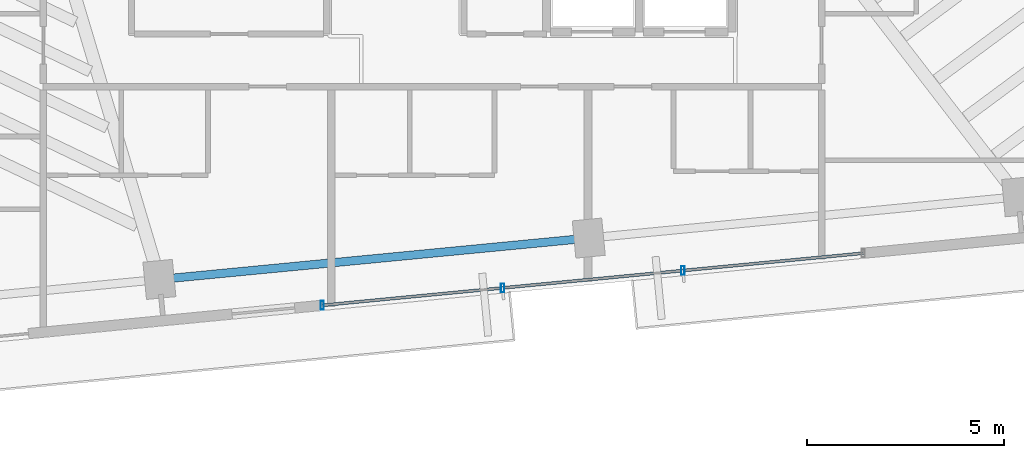
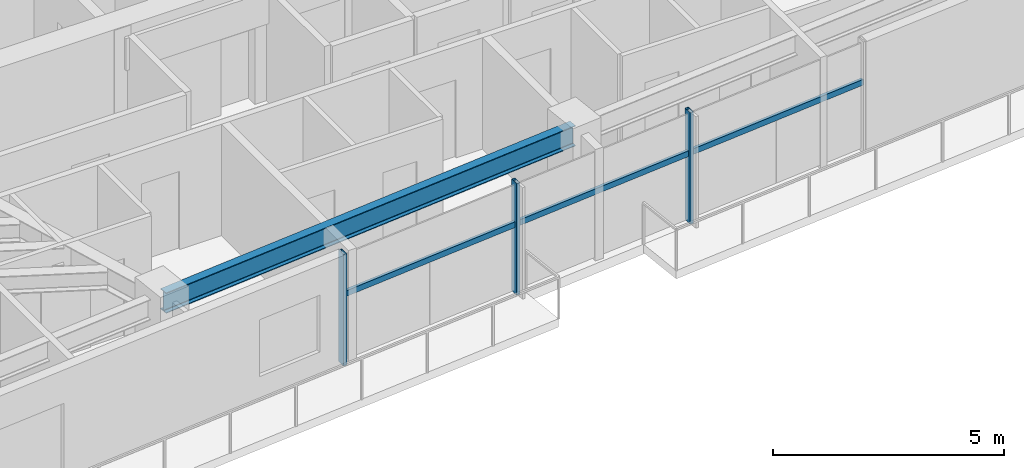
# One storey, part 4 of 18: 6 members, 1 beam, 1 element without a shape of its own.
"""IFC4 building model written with IfcOpenShell, lengths in metres."""

from ifc_helpers import new_model, si_unit, direction, frame, origin, origin_2d, place, context, subcontext, project, spatial, hollow_rectangle, i_section, extrude, source, transform, mapped, material, material_profile, profile_set, type_object, type_shapes, element, aggregate, save


model = new_model("IFC4")

# Units and contexts
model_context = context("Model", 3, precision=1e-05, world=origin(), true_north=direction((0.0, 1.0)))
body_context = subcontext(model_context, "Body", "Model", "MODEL_VIEW")
ifc_project = project(units=[si_unit("LENGTHUNIT", "METRE"), si_unit("AREAUNIT", "SQUARE_METRE"), si_unit("VOLUMEUNIT", "CUBIC_METRE"), si_unit("PLANEANGLEUNIT", "RADIAN"), si_unit("MASSUNIT", "GRAM", prefix="KILO")], contexts=[model_context])

# Site, building, storey
site_placement = place(None, origin())
site = spatial("IfcSite", under=ifc_project, at=site_placement, CompositionType="ELEMENT")
building_placement = place(site_placement, origin())
building = spatial("IfcBuilding", under=site, at=building_placement, Name="Astriad Promenade Condominiums", CompositionType="ELEMENT")
storey_placement = place(building_placement, frame((0.0, 0.0, 201.800048828125)))
storey = spatial("IfcBuildingStorey", under=building, at=storey_placement, Name="L58", CompositionType="ELEMENT", Elevation=201.800048828125)

# Beam
ifc_material_1 = material(Name="Steel ASTM A992 Grade 50", Category="steel")
ifc_material_profile_1 = material_profile(ifc_material_1, i_section(OverallWidth=0.210693359375, OverallDepth=0.53955078125, WebThickness=0.01171875, FlangeThickness=0.018798828125, FilletRadius=0.0166015625, at=origin_2d()), Name="W21X73")
ifc_profile_set_1 = profile_set([ifc_material_profile_1], Name="Steel ASTM A992 Grade 50")
beam_type = type_object("IfcBeamType", Name="STEEL SPANDREL BEAM W21X73", PredefinedType="SPANDREL", material=ifc_profile_set_1)
shared_shape_1 = source(origin(), body_context, "Body", "SweptSolid", [
    extrude(i_section(OverallWidth=0.210693359375, OverallDepth=0.53955078125, WebThickness=0.01171875, FlangeThickness=0.018798828125, FilletRadius=0.0166015625, at=origin_2d()), origin(), (0.0, 0.0, 1.0), 10.8701171875),
])
type_shapes(beam_type, [shared_shape_1])
beam_placement = place(storey_placement, frame((29.10888671875, 8.47119140625, 2.670166015625), z_axis=(0.995394986184, 0.09585834069, 0.0), x_axis=(-0.09585834069, 0.995394986184, 0.0)))
element("IfcBeam", 1, at=beam_placement, inside=storey, type_object=beam_type, Name="Perimeter Spandrel Beam SP-S2-L58", PredefinedType="SPANDREL", context=body_context, shape_type="MappedRepresentation", body=[
    mapped(shared_shape_1, transform((0.0, 0.0, 0.0), scale=1.0)),
])

# Curtain wall, members
ifc_material_2 = material(Name="Anodised aluminium Black Dark Glass Unitised", Category="aluminium")
curtain_wall_type = type_object("IfcCurtainWallType", Name="CW-B34-DARK", PredefinedType="USERDEFINED", material=ifc_material_2)
curtain_wall_placement = place(storey_placement, origin())
curtain_wall = element("IfcCurtainWall", 2, at=curtain_wall_placement, inside=storey, type_object=curtain_wall_type, Name="CW-L58-S", ObjectType="UNITISED_CURTAIN_WALL", PredefinedType="USERDEFINED")
ifc_material_3 = material(Name="Anodised aluminium 6063-T6 Black", Category="aluminium")
ifc_material_profile_2 = material_profile(ifc_material_3, hollow_rectangle(XDim=0.0849609375, YDim=0.219970703125, WallThickness=0.0048828125, at=origin_2d()), Name="ALU-MUL-85X220")
ifc_profile_set_2 = profile_set([ifc_material_profile_2], Name="Anodised aluminium 6063-T6 Black")
member_type_1 = type_object("IfcMemberType", Name="MUL-ALU-MUL-85X220", PredefinedType="MULLION", material=ifc_profile_set_2)
shared_shape_2 = source(origin(), body_context, "Body", "SweptSolid", [
    extrude(hollow_rectangle(XDim=0.0849609375, YDim=0.219970703125, WallThickness=0.0048828125, at=origin_2d()), origin(), (0.0, 0.0, 1.0), 2.93994140625),
])
type_shapes(member_type_1, [shared_shape_2])
member_1_placement = place(storey_placement, frame((42.358642578125, 8.692138671875, 0.0), z_axis=(0.0, 0.0, 1.0), x_axis=(1.0, 0.0, 0.0)))
member_1 = element("IfcMember", 3, at=member_1_placement, type_object=member_type_1, Name="CW-L58-S-MUL-01", PredefinedType="MULLION", context=body_context, shape_type="MappedRepresentation", body=[
    mapped(shared_shape_2, transform((0.0, 0.0, 0.0), scale=1.0)),
])
member_2_placement = place(storey_placement, frame((37.77978515625, 8.251220703125, 0.0), z_axis=(0.0, 0.0, 1.0), x_axis=(1.0, 0.0, 0.0)))
member_2 = element("IfcMember", 4, at=member_2_placement, type_object=member_type_1, Name="CW-L58-S-MUL-02", PredefinedType="MULLION", context=body_context, shape_type="MappedRepresentation", body=[
    mapped(shared_shape_2, transform((0.0, 0.0, 0.0), scale=1.0)),
])
member_3_placement = place(storey_placement, frame((33.201171875, 7.810302734375, 0.0), z_axis=(0.0, 0.0, 1.0), x_axis=(1.0, 0.0, 0.0)))
member_3 = element("IfcMember", 5, at=member_3_placement, type_object=member_type_1, Name="CW-L58-S-MUL-03", PredefinedType="MULLION", context=body_context, shape_type="MappedRepresentation", body=[
    mapped(shared_shape_2, transform((0.0, 0.0, 0.0), scale=1.0)),
])
ifc_material_profile_3 = material_profile(ifc_material_3, hollow_rectangle(XDim=0.074951171875, YDim=0.14990234375, WallThickness=0.004150390625, at=origin_2d()), Name="ALU-TRN-75X150")
ifc_profile_set_3 = profile_set([ifc_material_profile_3], Name="Anodised aluminium 6063-T6 Black")
member_type_2 = type_object("IfcMemberType", Name="TRN-ALU-TRN-75X150", PredefinedType="USERDEFINED", material=ifc_profile_set_3)
shared_shape_3 = source(origin(), body_context, "Body", "SweptSolid", [
    extrude(hollow_rectangle(XDim=0.074951171875, YDim=0.14990234375, WallThickness=0.004150390625, at=origin_2d()), origin(), (0.0, 0.0, 1.0), 4.60009765625),
])
member_4_placement = place(storey_placement, frame((46.9375, 9.133056640625, 1.82275390625), z_axis=(-0.995395697572, -0.095850953336, 0.0), x_axis=(0.095850953336, -0.995395697572, 0.0)))
member_4 = element("IfcMember", 6, at=member_4_placement, type_object=member_type_2, Name="CW-L58-S-TRN-00-0", ObjectType="TRANSOM", PredefinedType="USERDEFINED", context=body_context, shape_type="MappedRepresentation", body=[
    mapped(shared_shape_3, transform((0.0, 0.0, 0.0), scale=1.0)),
])
member_5_placement = place(storey_placement, frame((42.358642578125, 8.692138671875, 1.82275390625), z_axis=(-0.995395697572, -0.095850953336, 0.0), x_axis=(0.095850953336, -0.995395697572, 0.0)))
member_5 = element("IfcMember", 7, at=member_5_placement, type_object=member_type_2, Name="CW-L58-S-TRN-01-0", ObjectType="TRANSOM", PredefinedType="USERDEFINED", context=body_context, shape_type="MappedRepresentation", body=[
    mapped(shared_shape_3, transform((0.0, 0.0, 0.0), scale=1.0)),
])
shared_shape_4 = source(origin(), body_context, "Body", "SweptSolid", [
    extrude(hollow_rectangle(XDim=0.074951171875, YDim=0.14990234375, WallThickness=0.004150390625, at=origin_2d()), origin(), (0.0, 0.0, 1.0), 4.599853515625),
])
type_shapes(member_type_2, [shared_shape_3, shared_shape_4])
member_6_placement = place(storey_placement, frame((37.77978515625, 8.251220703125, 1.82275390625), z_axis=(-0.995395209924, -0.095856017336, 0.0), x_axis=(0.095856017336, -0.995395209924, 0.0)))
member_6 = element("IfcMember", 8, at=member_6_placement, type_object=member_type_2, Name="CW-L58-S-TRN-02-0", ObjectType="TRANSOM", PredefinedType="USERDEFINED", context=body_context, shape_type="MappedRepresentation", body=[
    mapped(shared_shape_4, transform((0.0, 0.0, 0.0), scale=1.0)),
])
aggregate(curtain_wall, [member_1, member_2, member_3, member_4, member_5, member_6])

save(model, "model.ifc")
